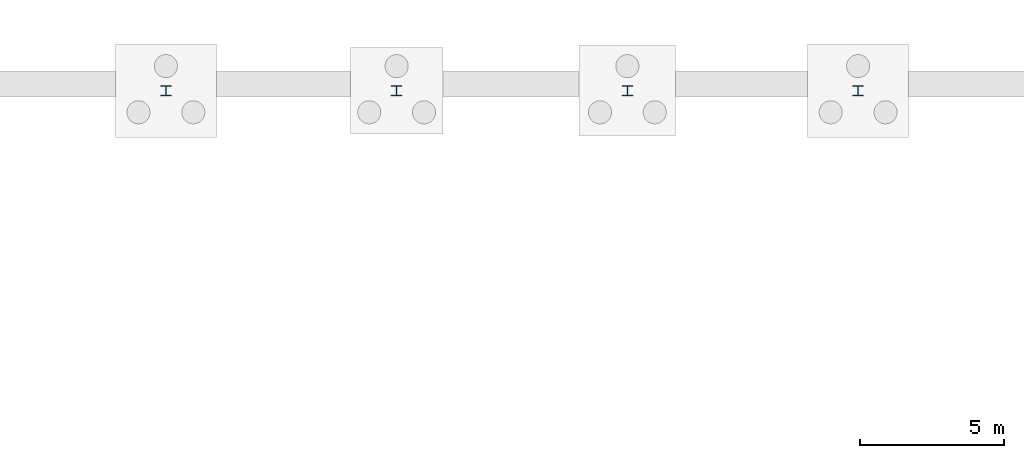
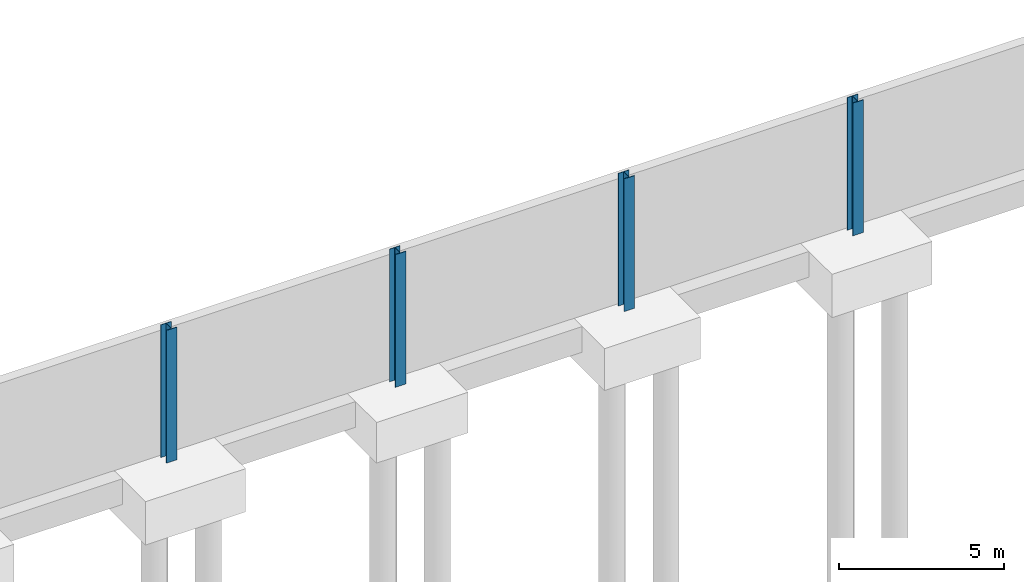
# One storey, part 32 of 51: 4 columns.
"""IFC4 building model written with IfcOpenShell, lengths in metres."""

from ifc_helpers import new_model, si_unit, direction, frame, origin, origin_2d, place, context, subcontext, project, spatial, i_section, extrude, material, material_profile, profile_set, type_object, element, save


model = new_model("IFC4")

# Units and contexts
model_context = context("Model", 3, precision=1e-05, world=origin(), true_north=direction((0.0, 1.0)))
body_context = subcontext(model_context, "Body", "Model", "MODEL_VIEW")
ifc_project = project(units=[si_unit("LENGTHUNIT", "METRE"), si_unit("AREAUNIT", "SQUARE_METRE"), si_unit("VOLUMEUNIT", "CUBIC_METRE"), si_unit("PLANEANGLEUNIT", "RADIAN"), si_unit("MASSUNIT", "GRAM", prefix="KILO")], contexts=[model_context])

# Site, building, storey
site_placement = place(None, origin())
site = spatial("IfcSite", under=ifc_project, at=site_placement, CompositionType="ELEMENT")
building_placement = place(site_placement, origin())
building = spatial("IfcBuilding", under=site, at=building_placement, Name="Jelvoka-Kovrelna Polytechnic", CompositionType="ELEMENT")
storey_placement = place(building_placement, frame((0.0, 0.0, -4.5)))
storey = spatial("IfcBuildingStorey", under=building, at=storey_placement, Name="B01", CompositionType="ELEMENT", Elevation=-4.5)

# Columns
ifc_material = material(Name="Structural steel S355JR", Category="steel")
ifc_material_profile = material_profile(ifc_material, i_section(OverallWidth=0.36865234375, OverallDepth=0.355712890625, WebThickness=0.010498046875, FlangeThickness=0.017578125, FilletRadius=0.01513671875, at=origin_2d()), Name="356x368x129 UC")
ifc_profile_set = profile_set([ifc_material_profile], Name="Structural steel S355JR")
column_type = type_object("IfcColumnType", Name="Col_Steel_UC356", PredefinedType="COLUMN", material=ifc_profile_set)
for number, where, z_axis, x_axis, name in (
    (1, (136.0, 120.0, -0.405029296875), (0.0, 0.0, 1.0), (1.0, 0.0, 0.0), "B01 column 1638"),
    (2, (144.0, 120.0, -0.405029296875), (0.0, 0.0, 1.0), (1.0, 0.0, 0.0), "B01 column 1641"),
    (3, (152.0, 120.0, -0.405029296875), (0.0, 0.0, 1.0), (1.0, 0.0, 0.0), "B01 column 1644"),
    (4, (160.0, 120.0, -0.405029296875), (0.0, 0.0, 1.0), (1.0, 0.0, 0.0), "B01 column 1647"),
):
    element("IfcColumn", number, at=place(storey_placement, frame(where, z_axis=z_axis, x_axis=x_axis)), inside=storey, type_object=column_type, Name=name, PredefinedType="COLUMN", context=body_context, shape_type="SweptSolid", body=[
        extrude(i_section(OverallWidth=0.36865234375, OverallDepth=0.355712890625, WebThickness=0.010498046875, FlangeThickness=0.017578125, FilletRadius=0.01513671875, at=origin_2d()), origin(), (0.0, 0.0, 1.0), 4.905029296875),
    ])

save(model, "model.ifc")
